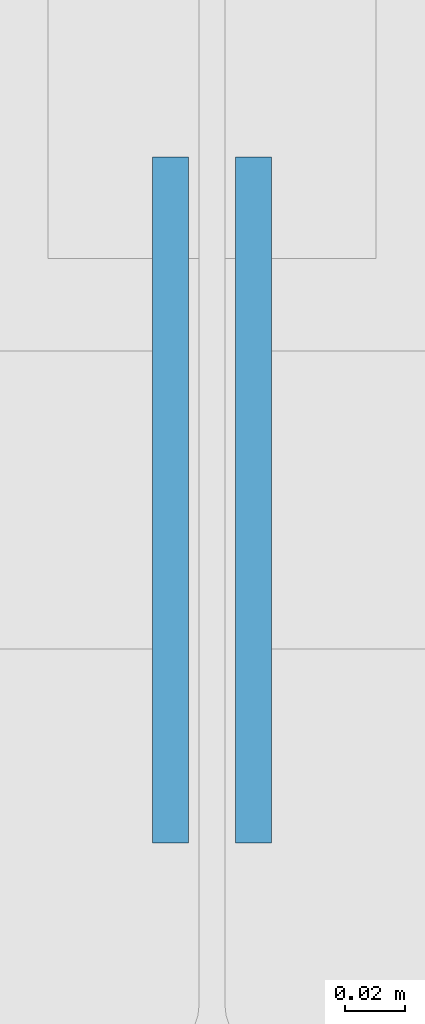
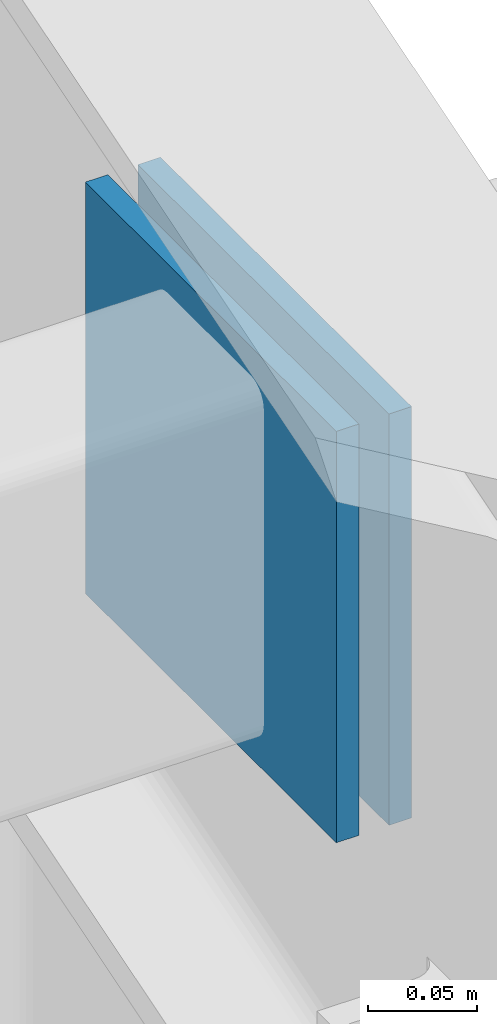
# One storey, part 125 of 163: 2 plates.
"""IFC4 building model written with IfcOpenShell, lengths in metres."""

from ifc_helpers import new_model, si_unit, direction, frame, origin, origin_2d, place, context, subcontext, project, spatial, rectangle, extrude, material, layer, layer_set, type_object, element, save


model = new_model("IFC4")

# Units and contexts
model_context = context("Model", 3, precision=1e-05, world=origin(), true_north=direction((0.0, 1.0)))
body_context = subcontext(model_context, "Body", "Model", "MODEL_VIEW")
ifc_project = project(units=[si_unit("LENGTHUNIT", "METRE"), si_unit("AREAUNIT", "SQUARE_METRE"), si_unit("VOLUMEUNIT", "CUBIC_METRE"), si_unit("PLANEANGLEUNIT", "RADIAN"), si_unit("MASSUNIT", "GRAM", prefix="KILO")], contexts=[model_context])

# Site, building, storey
site_placement = place(None, origin())
site = spatial("IfcSite", under=ifc_project, at=site_placement, CompositionType="ELEMENT")
building_placement = place(site_placement, origin())
building = spatial("IfcBuilding", under=site, at=building_placement, Name="Tharagai Park Tramway Depot", CompositionType="ELEMENT")
storey_placement = place(building_placement, frame((0.0, 0.0, 8.39990234375)))
storey = spatial("IfcBuildingStorey", under=building, at=storey_placement, Name="L02", CompositionType="ELEMENT", Elevation=8.39990234375)

# Plates
ifc_material = material(Name="Steel E350", Category="steel")
ifc_layer = layer(ifc_material, 0.011962890625)
ifc_layer_set = layer_set([ifc_layer], Name="Steel E350")
plate_type = type_object("IfcPlateType", Name="GP-04", PredefinedType="SHEET", material=ifc_layer_set)
for number, where, z_axis, x_axis, name in (
    (1, (26.986083984375, 103.5, 1.83154296875), (0.0, 0.0, 1.0), (1.0, 0.0, 0.0), "Tube End Cap Plate GP-04"),
    (2, (27.013916015625, 103.5, 1.83154296875), (0.0, 0.0, 1.0), (1.0, 0.0, 0.0), "Tube End Cap Plate GP-04"),
):
    element("IfcPlate", number, at=place(storey_placement, frame(where, z_axis=z_axis, x_axis=x_axis)), inside=storey, type_object=plate_type, Name=name, PredefinedType="SHEET", context=body_context, shape_type="SweptSolid", body=[
        extrude(rectangle(XDim=0.011962890625, YDim=0.22998046875, at=origin_2d()), origin(), (0.0, 0.0, 1.0), 0.22998046875),
    ])

save(model, "model.ifc")
